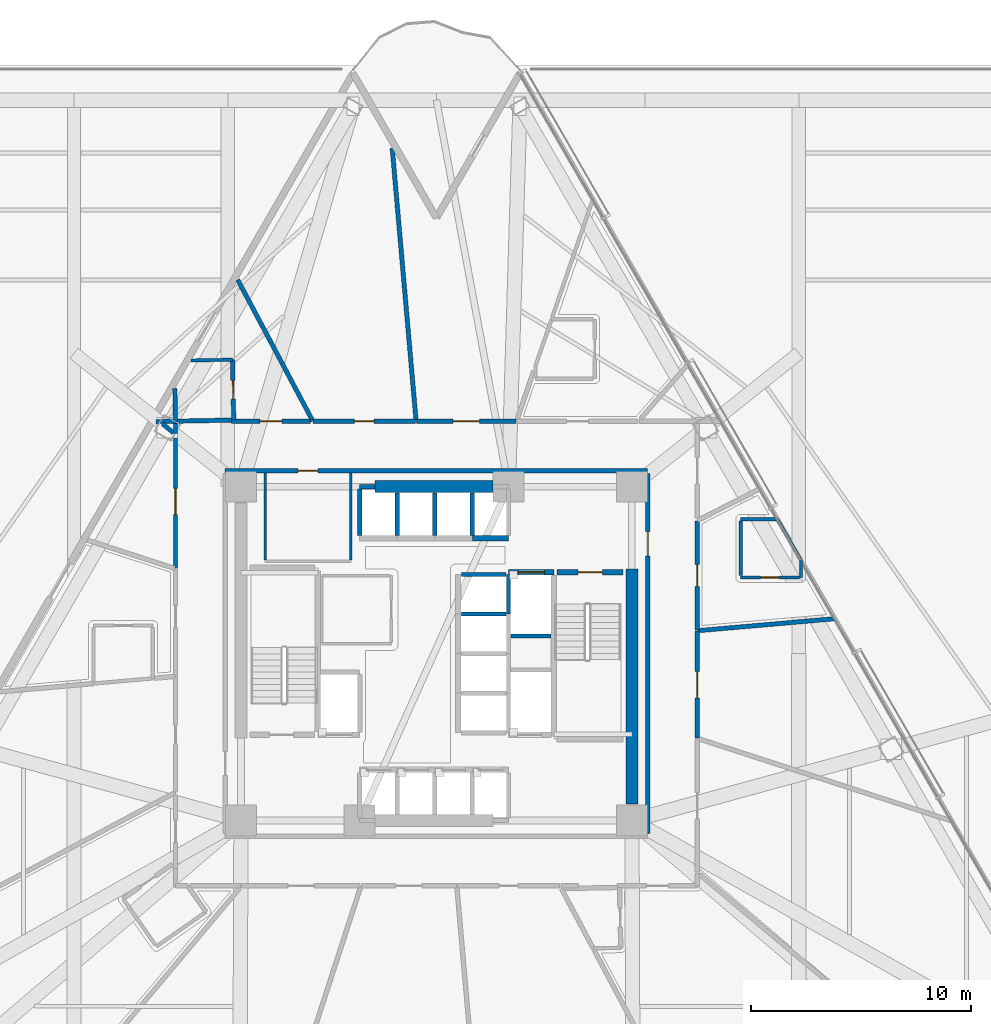
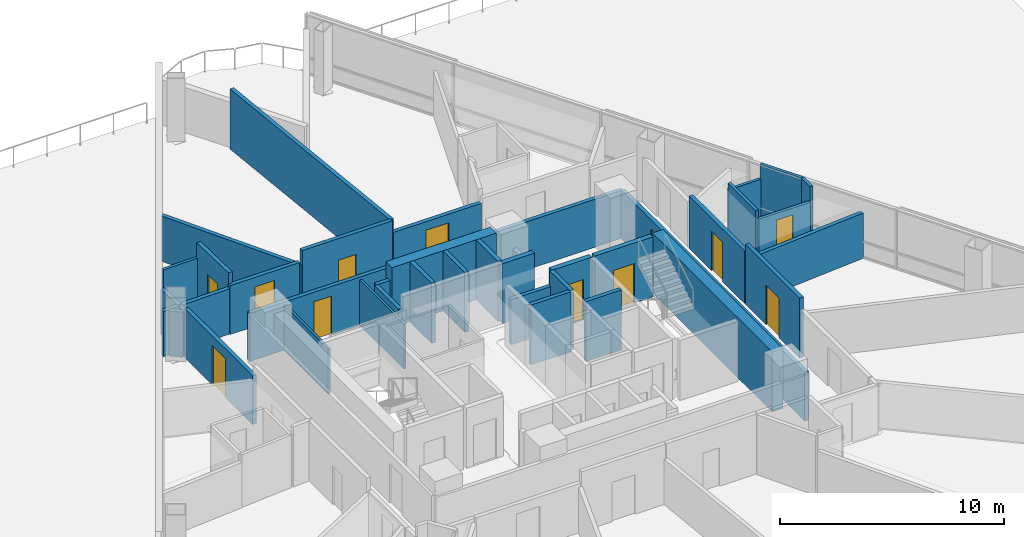
# One storey, part 11 of 19: 38 walls, 12 doors, 12 openings.
"""IFC4 building model written with IfcOpenShell, lengths in metres."""

from ifc_helpers import new_model, si_unit, direction, frame, frame_2d, origin, place, context, subcontext, project, spatial, rectangle, extrude, material, layer, layer_set, type_object, element, fill, save


model = new_model("IFC4")

# Units and contexts
model_context = context("Model", 3, precision=1e-05, world=origin(), true_north=direction((0.0, 1.0)))
body_context = subcontext(model_context, "Body", "Model", "MODEL_VIEW")
ifc_project = project(units=[si_unit("LENGTHUNIT", "METRE"), si_unit("AREAUNIT", "SQUARE_METRE"), si_unit("VOLUMEUNIT", "CUBIC_METRE"), si_unit("PLANEANGLEUNIT", "RADIAN"), si_unit("MASSUNIT", "GRAM", prefix="KILO")], contexts=[model_context])

# Site, building, storey
site_placement = place(None, origin())
site = spatial("IfcSite", under=ifc_project, at=site_placement, CompositionType="ELEMENT")
building_placement = place(site_placement, origin())
building = spatial("IfcBuilding", under=site, at=building_placement, Name="Tharavind Bronze Gate", CompositionType="ELEMENT")
storey_placement = place(building_placement, frame((0.0, 0.0, 31.800048828125)))
storey = spatial("IfcBuildingStorey", under=building, at=storey_placement, Name="L06", CompositionType="ELEMENT", Elevation=31.800048828125)

# Wall, opening, door
ifc_material_1 = material(Name="Aerated Concrete Block", Category="concrete")
ifc_layer_1 = layer(ifc_material_1, 0.199951171875)
ifc_layer_set_1 = layer_set([ifc_layer_1], Name="Aerated Concrete Block")
wall_type_1 = type_object("IfcWallType", Name="FIRE RATED PARTITION 200", PredefinedType="PARTITIONING", material=ifc_layer_set_1)
wall_1_placement = place(storey_placement, frame((9.6201171875, 8.320068359375, 0.0), z_axis=(0.0, 0.0, 1.0), x_axis=(-1.0, 0.0, 0.0)))
wall_1 = element("IfcWall", 1, at=wall_1_placement, inside=storey, type_object=wall_type_1, Name="L06 north core corridor wall", PredefinedType="PARTITIONING", context=body_context, shape_type="SweptSolid", body=[
    extrude(rectangle(XDim=19.240234375, YDim=0.199951171875, at=frame_2d((9.6201171875, 0.0))), origin(), (0.0, 0.0, 1.0), 2.619873046875),
])
opening_1_placement = place(wall_1_placement, frame((15.02001953125, 0.0, 0.0)))
opening_1 = element("IfcOpeningElement", 2, at=opening_1_placement, cuts=wall_1, Name="Opening ID07", PredefinedType="OPENING", context=body_context, shape_type="SweptSolid", body=[
    extrude(rectangle(XDim=0.89990234375, YDim=2.10009765625, at=frame_2d((0.449951171875, 1.050048828125))), frame((0.0, 0.11009765625, 0.0), z_axis=(0.0, -1.0, 0.0), x_axis=(1.0, 0.0, 0.0)), (0.0, 0.0, 1.0), 0.219951171875),
])
ifc_material_2 = material(Name="Galvanised Fire Steel", Category="steel")
door_type_1 = type_object("IfcDoorType", Name="PLANT AND RISER FIRE DOOR 900X2100", OperationType="SINGLE_SWING_LEFT", PredefinedType="DOOR", material=ifc_material_2)
door_1_placement = place(opening_1_placement, frame((0.89990234375, 0.0, 0.0), z_axis=(0.0, 0.0, 1.0), x_axis=(-1.0, 0.0, 0.0)))
door_1 = element("IfcDoor", 3, at=door_1_placement, inside=storey, type_object=door_type_1, Name="L06 Electrical Switch Room fire door", OperationType="SINGLE_SWING_LEFT", OverallHeight=2.10009765625, OverallWidth=0.89990234375, PredefinedType="DOOR", context=body_context, shape_type="SweptSolid", body=[
    extrude(rectangle(XDim=0.89990234375, YDim=2.10009765625, at=frame_2d((0.449951171875, 1.050048828125))), frame((0.0, 0.02490234375, 0.0), z_axis=(0.0, -1.0, 0.0), x_axis=(1.0, 0.0, 0.0)), (0.0, 0.0, 1.0), 0.050048828125),
])
fill(opening_1, door_1)

wall_2_placement = place(storey_placement, frame((9.6201171875, -8.199951171875, 0.0), z_axis=(0.0, 0.0, 1.0), x_axis=(0.0, 1.0, 0.0)))
wall_2 = element("IfcWall", 4, at=wall_2_placement, inside=storey, type_object=wall_type_1, Name="L06 east core corridor wall", PredefinedType="PARTITIONING", context=body_context, shape_type="SweptSolid", body=[
    extrude(rectangle(XDim=16.39990234375, YDim=0.199951171875, at=frame_2d((8.199951171875, 0.0))), origin(), (0.0, 0.0, 1.0), 2.669921875),
])
opening_2_placement = place(wall_2_placement, frame((12.64990234375, 0.0, 0.0)))
opening_2 = element("IfcOpeningElement", 5, at=opening_2_placement, cuts=wall_2, Name="Opening ID01", PredefinedType="OPENING", context=body_context, shape_type="SweptSolid", body=[
    extrude(rectangle(XDim=1.10009765625, YDim=2.14990234375, at=frame_2d((0.550048828125, 1.074951171875))), frame((0.0, 0.11009765625, 0.0), z_axis=(0.0, -1.0, 0.0), x_axis=(1.0, 0.0, 0.0)), (0.0, 0.0, 1.0), 0.219951171875),
])
ifc_material_3 = material(Name="Fire-Rated Steel", Category="steel")
door_type_2 = type_object("IfcDoorType", Name="STAIR CORE FIRE DOOR 1100X2150", OperationType="SINGLE_SWING_LEFT", PredefinedType="DOOR", material=ifc_material_3)
door_2_placement = place(opening_2_placement, frame((1.10009765625, 0.0, 0.0), z_axis=(0.0, 0.0, 1.0), x_axis=(-1.0, 0.0, 0.0)))
door_2 = element("IfcDoor", 6, at=door_2_placement, inside=storey, type_object=door_type_2, Name="L06 north east stair lobby fire door", OperationType="SINGLE_SWING_LEFT", OverallHeight=2.14990234375, OverallWidth=1.10009765625, PredefinedType="DOOR", context=body_context, shape_type="SweptSolid", body=[
    extrude(rectangle(XDim=1.10009765625, YDim=2.14990234375, at=frame_2d((0.550048828125, 1.074951171875))), frame((0.0, 0.02490234375, 0.0), z_axis=(0.0, -1.0, 0.0), x_axis=(1.0, 0.0, 0.0)), (0.0, 0.0, 1.0), 0.050048828125),
])
fill(opening_2, door_2)

# Wall
wall_3_placement = place(storey_placement, frame((-11.8798828125, 10.580078125, 0.0), z_axis=(0.0, 0.0, 1.0), x_axis=(-0.019413816196, 0.999811534111, 0.0)))
element("IfcWall", 7, at=wall_3_placement, inside=storey, type_object=wall_type_1, Name="L06 En-Suite Bathroom partition", PredefinedType="PARTITIONING", context=body_context, shape_type="SweptSolid", body=[
    extrude(rectangle(XDim=1.48388671875, YDim=0.199951171875, at=frame_2d((0.741943359375, 0.0))), origin(), (0.0, 0.0, 1.0), 2.469970703125),
])

# Wall, opening, door
wall_4_placement = place(storey_placement, frame((-9.28369140625, 13.380859375, 0.0), z_axis=(0.0, 0.0, 1.0), x_axis=(0.019353504647, -0.999812703389, 0.0)))
wall_4 = element("IfcWall", 8, at=wall_4_placement, inside=storey, type_object=wall_type_1, Name="L06 En-Suite Bathroom partition", PredefinedType="PARTITIONING", context=body_context, shape_type="SweptSolid", body=[
    extrude(rectangle(XDim=2.75, YDim=0.199951171875, at=frame_2d((1.375, 0.0))), origin(), (0.0, 0.0, 1.0), 3.27490234375),
])
opening_3_placement = place(wall_4_placement, frame((0.949951171875, 0.0, 0.0)))
opening_3 = element("IfcOpeningElement", 9, at=opening_3_placement, cuts=wall_4, Name="Opening ID06", PredefinedType="OPENING", context=body_context, shape_type="SweptSolid", body=[
    extrude(rectangle(XDim=0.85009765625, YDim=2.10009765625, at=frame_2d((0.425048828125, 1.050048828125))), frame((0.0, 0.11009765625, 0.0), z_axis=(0.0, -1.0, 0.0), x_axis=(1.0, 0.0, 0.0)), (0.0, 0.0, 1.0), 0.219951171875),
])
ifc_material_4 = material(Name="Moisture-Resistant Timber", Category="wood")
door_type_3 = type_object("IfcDoorType", Name="BATHROOM PRIVACY DOOR 850X2100", OperationType="SINGLE_SWING_RIGHT", PredefinedType="DOOR", material=ifc_material_4)
door_3_placement = place(opening_3_placement, origin())
door_3 = element("IfcDoor", 10, at=door_3_placement, inside=storey, type_object=door_type_3, Name="L06 En-Suite Bathroom door", OperationType="SINGLE_SWING_RIGHT", OverallHeight=2.10009765625, OverallWidth=0.85009765625, PredefinedType="DOOR", context=body_context, shape_type="SweptSolid", body=[
    extrude(rectangle(XDim=0.85009765625, YDim=2.10009765625, at=frame_2d((0.425048828125, 1.050048828125))), frame((0.0, 0.02490234375, 0.0), z_axis=(0.0, -1.0, 0.0), x_axis=(1.0, 0.0, 0.0)), (0.0, 0.0, 1.0), 0.050048828125),
])
fill(opening_3, door_3)

# Walls
wall_5_placement = place(storey_placement, frame((-9.33544921875, 10.62939453125, 0.0), z_axis=(0.0, 0.0, 1.0), x_axis=(-0.999810972065, -0.019442739982, 0.0)))
element("IfcWall", 11, at=wall_5_placement, inside=storey, type_object=wall_type_1, Name="L06 En-Suite Bathroom partition", PredefinedType="PARTITIONING", context=body_context, shape_type="SweptSolid", body=[
    extrude(rectangle(XDim=3.440673828125, YDim=0.199951171875, at=frame_2d((1.72021484375, 0.0))), origin(), (0.0, 0.0, 1.0), 2.469970703125),
])
wall_6_placement = place(storey_placement, frame((18.136474609375, 1.586669921875, 0.0), z_axis=(0.0, 0.0, 1.0), x_axis=(-0.99619562433, -0.087145155144, 0.0)))
element("IfcWall", 12, at=wall_6_placement, inside=storey, type_object=wall_type_1, Name="L06 Hotel Guest Room partition", PredefinedType="PARTITIONING", context=body_context, shape_type="SweptSolid", body=[
    extrude(rectangle(XDim=6.2529296875, YDim=0.199951171875, at=frame_2d((3.12646484375, 0.0))), origin(), (0.0, 0.0, 1.0), 2.469970703125),
])

# Wall, opening, door
wall_7_placement = place(storey_placement, frame((11.8798828125, 1.066650390625, 0.0), z_axis=(0.0, 0.0, 1.0), x_axis=(0.0, 1.0, 0.0)))
wall_7 = element("IfcWall", 13, at=wall_7_placement, inside=storey, type_object=wall_type_1, Name="L06 Hotel Guest Room partition", PredefinedType="PARTITIONING", context=body_context, shape_type="SweptSolid", body=[
    extrude(rectangle(XDim=4.97119140625, YDim=0.199951171875, at=frame_2d((2.485595703125, 0.0))), origin(), (0.0, 0.0, 1.0), 2.869873046875),
])
opening_4_placement = place(wall_7_placement, frame((1.986083984375, 0.0, 0.0)))
opening_4 = element("IfcOpeningElement", 14, at=opening_4_placement, cuts=wall_7, Name="Opening ID03", PredefinedType="OPENING", context=body_context, shape_type="SweptSolid", body=[
    extrude(rectangle(XDim=1.0, YDim=2.14990234375, at=frame_2d((0.5, 1.074951171875))), frame((0.0, 0.11009765625, 0.0), z_axis=(0.0, -1.0, 0.0), x_axis=(1.0, 0.0, 0.0)), (0.0, 0.0, 1.0), 0.219951171875),
])
ifc_material_5 = material(Name="Solid Timber Veneer", Category="wood")
door_type_4 = type_object("IfcDoorType", Name="HOTEL SUITE ENTRANCE DOOR 1000X2150", OperationType="SINGLE_SWING_LEFT", PredefinedType="DOOR", material=ifc_material_5)
door_4_placement = place(opening_4_placement, origin())
door_4 = element("IfcDoor", 15, at=door_4_placement, inside=storey, type_object=door_type_4, Name="L06 Hotel Guest Room door", OperationType="SINGLE_SWING_LEFT", OverallHeight=2.14990234375, OverallWidth=1.0, PredefinedType="DOOR", context=body_context, shape_type="SweptSolid", body=[
    extrude(rectangle(XDim=1.0, YDim=2.14990234375, at=frame_2d((0.5, 1.074951171875))), frame((0.0, 0.02490234375, 0.0), z_axis=(0.0, -1.0, 0.0), x_axis=(1.0, 0.0, 0.0)), (0.0, 0.0, 1.0), 0.050048828125),
])
fill(opening_4, door_4)

wall_8_placement = place(storey_placement, frame((3.625244140625, 10.580078125, 0.0), z_axis=(0.0, 0.0, 1.0), x_axis=(-1.0, 0.0, 0.0)))
wall_8 = element("IfcWall", 16, at=wall_8_placement, inside=storey, type_object=wall_type_1, Name="L06 Hotel Guest Lounge partition", PredefinedType="PARTITIONING", context=body_context, shape_type="SweptSolid", body=[
    extrude(rectangle(XDim=4.52783203125, YDim=0.199951171875, at=frame_2d((2.263916015625, 0.0))), origin(), (0.0, 0.0, 1.0), 2.619873046875),
])
opening_5_placement = place(wall_8_placement, frame((1.6640625, 0.0, 0.0)))
opening_5 = element("IfcOpeningElement", 17, at=opening_5_placement, cuts=wall_8, Name="Opening ID05", PredefinedType="OPENING", context=body_context, shape_type="SweptSolid", body=[
    extrude(rectangle(XDim=1.199951171875, YDim=2.14990234375, at=frame_2d((0.60009765625, 1.074951171875))), frame((0.0, 0.11009765625, 0.0), z_axis=(0.0, -1.0, 0.0), x_axis=(1.0, 0.0, 0.0)), (0.0, 0.0, 1.0), 0.219951171875),
])
ifc_material_6 = material(Name="Acoustic Laminated Glass", Category="glass")
door_type_5 = type_object("IfcDoorType", Name="MEETING ROOM GLAZED DOOR 1200X2150", OperationType="SINGLE_SWING_LEFT", PredefinedType="DOOR", material=ifc_material_6)
door_5_placement = place(opening_5_placement, origin())
door_5 = element("IfcDoor", 18, at=door_5_placement, inside=storey, type_object=door_type_5, Name="L06 Hotel Guest Lounge door", OperationType="SINGLE_SWING_LEFT", OverallHeight=2.14990234375, OverallWidth=1.199951171875, PredefinedType="DOOR", context=body_context, shape_type="SweptSolid", body=[
    extrude(rectangle(XDim=1.199951171875, YDim=2.14990234375, at=frame_2d((0.60009765625, 1.074951171875))), frame((0.0, 0.02490234375, 0.0), z_axis=(0.0, -1.0, 0.0), x_axis=(1.0, 0.0, 0.0)), (0.0, 0.0, 1.0), 0.050048828125),
])
fill(opening_5, door_5)

# Wall
wall_9_placement = place(storey_placement, frame((-0.927490234375, 10.602783203125, 0.0), z_axis=(0.0, 0.0, 1.0), x_axis=(-0.08716403318, 0.996193972738, 0.0)))
element("IfcWall", 19, at=wall_9_placement, inside=storey, type_object=wall_type_1, Name="L06 Hotel Guest Lounge partition", PredefinedType="PARTITIONING", context=body_context, shape_type="SweptSolid", body=[
    extrude(rectangle(XDim=12.45849609375, YDim=0.199951171875, at=frame_2d((6.229248046875, 0.0))), origin(), (0.0, 0.0, 1.0), 3.27490234375),
])

# Wall, opening, door
wall_10_placement = place(storey_placement, frame((-0.952880859375, 10.580078125, 0.0), z_axis=(0.0, 0.0, 1.0), x_axis=(-1.0, 0.0, 0.0)))
wall_10 = element("IfcWall", 20, at=wall_10_placement, inside=storey, type_object=wall_type_1, Name="L06 Housekeeping & Linen Room partition", PredefinedType="PARTITIONING", context=body_context, shape_type="SweptSolid", body=[
    extrude(rectangle(XDim=4.65771484375, YDim=0.199951171875, at=frame_2d((2.328857421875, 0.0))), origin(), (0.0, 0.0, 1.0), 3.27490234375),
])
opening_6_placement = place(wall_10_placement, frame((1.87890625, 0.0, 0.0)))
opening_6 = element("IfcOpeningElement", 21, at=opening_6_placement, cuts=wall_10, Name="Opening ID07", PredefinedType="OPENING", context=body_context, shape_type="SweptSolid", body=[
    extrude(rectangle(XDim=0.89990234375, YDim=2.10009765625, at=frame_2d((0.449951171875, 1.050048828125))), frame((0.0, 0.11009765625, 0.0), z_axis=(0.0, -1.0, 0.0), x_axis=(1.0, 0.0, 0.0)), (0.0, 0.0, 1.0), 0.219951171875),
])
door_6_placement = place(opening_6_placement, origin())
door_6 = element("IfcDoor", 22, at=door_6_placement, inside=storey, type_object=door_type_1, Name="L06 Housekeeping & Linen Room door", OperationType="SINGLE_SWING_LEFT", OverallHeight=2.10009765625, OverallWidth=0.89990234375, PredefinedType="DOOR", context=body_context, shape_type="SweptSolid", body=[
    extrude(rectangle(XDim=0.89990234375, YDim=2.10009765625, at=frame_2d((0.449951171875, 1.050048828125))), frame((0.0, 0.02490234375, 0.0), z_axis=(0.0, -1.0, 0.0), x_axis=(1.0, 0.0, 0.0)), (0.0, 0.0, 1.0), 0.050048828125),
])
fill(opening_6, door_6)

# Walls
wall_11_placement = place(storey_placement, frame((-5.632568359375, 10.59326171875, 0.0), z_axis=(0.0, 0.0, 1.0), x_axis=(-0.469461047245, 0.882953183991, 0.0)))
element("IfcWall", 23, at=wall_11_placement, inside=storey, type_object=wall_type_1, Name="L06 Housekeeping & Linen Room partition", PredefinedType="PARTITIONING", context=body_context, shape_type="SweptSolid", body=[
    extrude(rectangle(XDim=7.27587890625, YDim=0.199951171875, at=frame_2d((3.637939453125, 0.0))), origin(), (0.0, 0.0, 1.0), 2.469970703125),
])
wall_12_placement = place(storey_placement, frame((-11.8798828125, 10.474853515625, 0.0), z_axis=(0.0, 0.0, 1.0), x_axis=(0.0, -1.0, 0.0)))
element("IfcWall", 24, at=wall_12_placement, inside=storey, type_object=wall_type_1, Name="L06 Hotel Guest Room partition", PredefinedType="PARTITIONING", context=body_context, shape_type="SweptSolid", body=[
    extrude(rectangle(XDim=0.45263671875, YDim=0.199951171875, at=frame_2d((0.226318359375, 0.0))), origin(), (0.0, 0.0, 1.0), 2.469970703125),
])
wall_13_placement = place(storey_placement, frame((-11.985107421875, 10.056640625, 0.0), z_axis=(0.0, 0.0, 1.0), x_axis=(-0.76613026962, 0.642685311776, 0.0)))
element("IfcWall", 25, at=wall_13_placement, inside=storey, type_object=wall_type_1, Name="L06 Hotel Guest Room partition", PredefinedType="PARTITIONING", context=body_context, shape_type="SweptSolid", body=[
    extrude(rectangle(XDim=0.6328125, YDim=0.199951171875, at=frame_2d((0.31640625, 0.0))), origin(), (0.0, 0.0, 1.0), 2.469970703125),
])

# Wall, opening, door
wall_14_placement = place(storey_placement, frame((-5.744384765625, 10.580078125, 0.0), z_axis=(0.0, 0.0, 1.0), x_axis=(-1.0, 0.0, 0.0)))
wall_14 = element("IfcWall", 26, at=wall_14_placement, inside=storey, type_object=wall_type_1, Name="L06 Hotel Guest Room partition", PredefinedType="PARTITIONING", context=body_context, shape_type="SweptSolid", body=[
    extrude(rectangle(XDim=3.590087890625, YDim=0.199951171875, at=frame_2d((1.794921875, 0.0))), origin(), (0.0, 0.0, 1.0), 2.669921875),
])
opening_7_placement = place(wall_14_placement, frame((1.294921875, 0.0, 0.0)))
opening_7 = element("IfcOpeningElement", 27, at=opening_7_placement, cuts=wall_14, Name="Opening ID03", PredefinedType="OPENING", context=body_context, shape_type="SweptSolid", body=[
    extrude(rectangle(XDim=1.0, YDim=2.14990234375, at=frame_2d((0.5, 1.074951171875))), frame((0.0, 0.11009765625, 0.0), z_axis=(0.0, -1.0, 0.0), x_axis=(1.0, 0.0, 0.0)), (0.0, 0.0, 1.0), 0.219951171875),
])
door_7_placement = place(opening_7_placement, origin())
door_7 = element("IfcDoor", 28, at=door_7_placement, inside=storey, type_object=door_type_4, Name="L06 Hotel Guest Room door", OperationType="SINGLE_SWING_LEFT", OverallHeight=2.14990234375, OverallWidth=1.0, PredefinedType="DOOR", context=body_context, shape_type="SweptSolid", body=[
    extrude(rectangle(XDim=1.0, YDim=2.14990234375, at=frame_2d((0.5, 1.074951171875))), frame((0.0, 0.02490234375, 0.0), z_axis=(0.0, -1.0, 0.0), x_axis=(1.0, 0.0, 0.0)), (0.0, 0.0, 1.0), 0.050048828125),
])
fill(opening_7, door_7)

wall_15_placement = place(storey_placement, frame((-11.8798828125, 9.956787109375, 0.0), z_axis=(0.0, 0.0, 1.0), x_axis=(0.0, -1.0, 0.0)))
wall_15 = element("IfcWall", 29, at=wall_15_placement, inside=storey, type_object=wall_type_1, Name="L06 Hotel Guest Lounge partition", PredefinedType="PARTITIONING", context=body_context, shape_type="SweptSolid", body=[
    extrude(rectangle(XDim=6.062255859375, YDim=0.199951171875, at=frame_2d((3.03125, 0.0))), origin(), (0.0, 0.0, 1.0), 2.669921875),
])
opening_8_placement = place(wall_15_placement, frame((2.430908203125, 0.0, 0.0)))
opening_8 = element("IfcOpeningElement", 30, at=opening_8_placement, cuts=wall_15, Name="Opening ID05", PredefinedType="OPENING", context=body_context, shape_type="SweptSolid", body=[
    extrude(rectangle(XDim=1.199951171875, YDim=2.14990234375, at=frame_2d((0.60009765625, 1.074951171875))), frame((0.0, 0.11009765625, 0.0), z_axis=(0.0, -1.0, 0.0), x_axis=(1.0, 0.0, 0.0)), (0.0, 0.0, 1.0), 0.219951171875),
])
door_8_placement = place(opening_8_placement, origin())
door_8 = element("IfcDoor", 31, at=door_8_placement, inside=storey, type_object=door_type_5, Name="L06 Hotel Guest Lounge door", OperationType="SINGLE_SWING_LEFT", OverallHeight=2.14990234375, OverallWidth=1.199951171875, PredefinedType="DOOR", context=body_context, shape_type="SweptSolid", body=[
    extrude(rectangle(XDim=1.199951171875, YDim=2.14990234375, at=frame_2d((0.60009765625, 1.074951171875))), frame((0.0, 0.02490234375, 0.0), z_axis=(0.0, -1.0, 0.0), x_axis=(1.0, 0.0, 0.0)), (0.0, 0.0, 1.0), 0.050048828125),
])
fill(opening_8, door_8)

wall_16_placement = place(storey_placement, frame((11.8798828125, -3.841796875, 0.0), z_axis=(0.0, 0.0, 1.0), x_axis=(0.0, 1.0, 0.0)))
wall_16 = element("IfcWall", 32, at=wall_16_placement, inside=storey, type_object=wall_type_1, Name="L06 Hotel Guest Lounge partition", PredefinedType="PARTITIONING", context=body_context, shape_type="SweptSolid", body=[
    extrude(rectangle(XDim=4.8583984375, YDim=0.199951171875, at=frame_2d((2.42919921875, 0.0))), origin(), (0.0, 0.0, 1.0), 3.27490234375),
])
opening_9_placement = place(wall_16_placement, frame((1.8291015625, 0.0, 0.0)))
opening_9 = element("IfcOpeningElement", 33, at=opening_9_placement, cuts=wall_16, Name="Opening ID05", PredefinedType="OPENING", context=body_context, shape_type="SweptSolid", body=[
    extrude(rectangle(XDim=1.199951171875, YDim=2.14990234375, at=frame_2d((0.60009765625, 1.074951171875))), frame((0.0, 0.11009765625, 0.0), z_axis=(0.0, -1.0, 0.0), x_axis=(1.0, 0.0, 0.0)), (0.0, 0.0, 1.0), 0.219951171875),
])
door_9_placement = place(opening_9_placement, origin())
door_9 = element("IfcDoor", 34, at=door_9_placement, inside=storey, type_object=door_type_5, Name="L06 Hotel Guest Lounge door", OperationType="SINGLE_SWING_LEFT", OverallHeight=2.14990234375, OverallWidth=1.199951171875, PredefinedType="DOOR", context=body_context, shape_type="SweptSolid", body=[
    extrude(rectangle(XDim=1.199951171875, YDim=2.14990234375, at=frame_2d((0.60009765625, 1.074951171875))), frame((0.0, 0.02490234375, 0.0), z_axis=(0.0, -1.0, 0.0), x_axis=(1.0, 0.0, 0.0)), (0.0, 0.0, 1.0), 0.050048828125),
])
fill(opening_9, door_9)

# Walls
ifc_material_7 = material(Name="Metal Stud Gypsum Partition", Category="gypsum")
ifc_layer_2 = layer(ifc_material_7, 0.1201171875)
ifc_layer_set_2 = layer_set([ifc_layer_2], Name="Metal Stud Gypsum Partition")
wall_type_2 = type_object("IfcWallType", Name="INTERIOR PARTITION WALL 120", PredefinedType="PARTITIONING", material=ifc_layer_set_2)
for number, where, z_axis, x_axis, name in (
    (35, (-3.89990234375, 4.264892578125, 0.0), (0.0, 0.0, 1.0), (0.0, 1.0, 0.0), "L06 Electrical Switch Room partition 2"),
    (36, (-7.800048828125, 8.215087890625, 0.0), (0.0, 0.0, 1.0), (0.0, -1.0, 0.0), "L06 Electrical Switch Room partition 4"),
):
    element("IfcWall", number, at=place(storey_placement, frame(where, z_axis=z_axis, x_axis=x_axis)), inside=storey, type_object=wall_type_2, Name=name, PredefinedType="PARTITIONING", context=body_context, shape_type="SweptSolid", body=[
        extrude(rectangle(XDim=3.9501953125, YDim=0.1201171875, at=frame_2d((1.97509765625, 0.0))), origin(), (0.0, 0.0, 1.0), 2.469970703125),
    ])
ifc_material_8 = material(Name="Twin Stud Acoustic Gypsum", Category="gypsum")
ifc_layer_3 = layer(ifc_material_8, 0.14990234375)
ifc_layer_set_3 = layer_set([ifc_layer_3], Name="Twin Stud Acoustic Gypsum")
wall_type_3 = type_object("IfcWallType", Name="INTERIOR PARTITION WALL 150", PredefinedType="PARTITIONING", material=ifc_layer_set_3)
wall_17_placement = place(storey_placement, frame((13.85009765625, 6.1142578125, 0.0), z_axis=(0.0, 0.0, 1.0), x_axis=(1.0, 0.0, 0.0)))
element("IfcWall", 37, at=wall_17_placement, inside=storey, type_object=wall_type_3, Name="L06 En-Suite Bathroom partition", PredefinedType="PARTITIONING", context=body_context, shape_type="SweptSolid", body=[
    extrude(rectangle(XDim=1.67236328125, YDim=0.14990234375, at=frame_2d((0.836181640625, 0.0))), origin(), (0.0, 0.0, 1.0), 2.469970703125),
])
wall_18_placement = place(storey_placement, frame((15.5224609375, 6.1142578125, 0.0), z_axis=(0.0, 0.0, 1.0), x_axis=(0.500062410969, -0.865989367796, 0.0)))
element("IfcWall", 38, at=wall_18_placement, inside=storey, type_object=wall_type_3, Name="L06 En-Suite Bathroom partition", PredefinedType="PARTITIONING", context=body_context, shape_type="SweptSolid", body=[
    extrude(rectangle(XDim=2.155029296875, YDim=0.14990234375, at=frame_2d((1.07763671875, 0.0))), origin(), (0.0, 0.0, 1.0), 3.27490234375),
])
wall_19_placement = place(storey_placement, frame((16.60009765625, 4.248046875, 0.0), z_axis=(0.0, 0.0, 1.0), x_axis=(0.0, -1.0, 0.0)))
element("IfcWall", 39, at=wall_19_placement, inside=storey, type_object=wall_type_3, Name="L06 En-Suite Bathroom partition", PredefinedType="PARTITIONING", context=body_context, shape_type="SweptSolid", body=[
    extrude(rectangle(XDim=0.78369140625, YDim=0.14990234375, at=frame_2d((0.391845703125, 0.0))), origin(), (0.0, 0.0, 1.0), 3.27490234375),
])

# Wall, opening, door
wall_20_placement = place(storey_placement, frame((16.52001953125, 3.46435546875, 0.0), z_axis=(0.0, 0.0, 1.0), x_axis=(-1.0, 0.0, 0.0)))
wall_20 = element("IfcWall", 40, at=wall_20_placement, inside=storey, type_object=wall_type_3, Name="L06 En-Suite Bathroom partition", PredefinedType="PARTITIONING", context=body_context, shape_type="SweptSolid", body=[
    extrude(rectangle(XDim=2.669921875, YDim=0.14990234375, at=frame_2d((1.3349609375, 0.0))), origin(), (0.0, 0.0, 1.0), 2.469970703125),
])
opening_10_placement = place(wall_20_placement, frame((0.909912109375, 0.0, 0.0)))
opening_10 = element("IfcOpeningElement", 41, at=opening_10_placement, cuts=wall_20, Name="Opening ID06", PredefinedType="OPENING", context=body_context, shape_type="SweptSolid", body=[
    extrude(rectangle(XDim=0.85009765625, YDim=2.10009765625, at=frame_2d((0.425048828125, 1.050048828125))), frame((0.0, 0.084951171875, 0.0), z_axis=(0.0, -1.0, 0.0), x_axis=(1.0, 0.0, 0.0)), (0.0, 0.0, 1.0), 0.16990234375),
])
door_10_placement = place(opening_10_placement, origin())
door_10 = element("IfcDoor", 42, at=door_10_placement, inside=storey, type_object=door_type_3, Name="L06 En-Suite Bathroom door", OperationType="SINGLE_SWING_RIGHT", OverallHeight=2.10009765625, OverallWidth=0.85009765625, PredefinedType="DOOR", context=body_context, shape_type="SweptSolid", body=[
    extrude(rectangle(XDim=0.85009765625, YDim=2.10009765625, at=frame_2d((0.425048828125, 1.050048828125))), frame((0.0, 0.02490234375, 0.0), z_axis=(0.0, -1.0, 0.0), x_axis=(1.0, 0.0, 0.0)), (0.0, 0.0, 1.0), 0.050048828125),
])
fill(opening_10, door_10)

# Walls
wall_21_placement = place(storey_placement, frame((13.85009765625, 3.544189453125, 0.0), z_axis=(0.0, 0.0, 1.0), x_axis=(0.0, 1.0, 0.0)))
element("IfcWall", 43, at=wall_21_placement, inside=storey, type_object=wall_type_3, Name="L06 En-Suite Bathroom partition", PredefinedType="PARTITIONING", context=body_context, shape_type="SweptSolid", body=[
    extrude(rectangle(XDim=2.489990234375, YDim=0.14990234375, at=frame_2d((1.2451171875, 0.0))), origin(), (0.0, 0.0, 1.0), 2.869873046875),
])
wall_22_placement = place(storey_placement, frame((-11.169189453125, 13.34423828125, 0.0), z_axis=(0.0, 0.0, 1.0), x_axis=(0.999811436513, 0.019418841833, 0.0)))
element("IfcWall", 44, at=wall_22_placement, inside=storey, type_object=wall_type_3, Name="L06 En-Suite Bathroom partition", PredefinedType="PARTITIONING", context=body_context, shape_type="SweptSolid", body=[
    extrude(rectangle(XDim=1.8857421875, YDim=0.14990234375, at=frame_2d((0.94287109375, 0.0))), origin(), (0.0, 0.0, 1.0), 2.469970703125),
])

# Wall, opening, door
ifc_material_9 = material(Name="Concrete C50/60", Category="concrete")
ifc_layer_4 = layer(ifc_material_9, 0.25)
ifc_layer_set_4 = layer_set([ifc_layer_4], Name="Concrete C50/60")
wall_type_4 = type_object("IfcWallType", Name="RC CORE SHEAR WALL 250", PredefinedType="SHEAR", material=ifc_layer_set_4)
wall_23_placement = place(storey_placement, frame((5.5, 3.699951171875, 0.0), z_axis=(0.0, 0.0, 1.0), x_axis=(1.0, 0.0, 0.0)))
wall_23 = element("IfcWall", 45, at=wall_23_placement, inside=storey, type_object=wall_type_4, Name="L06 ST2 shaft north wall", PredefinedType="SHEAR", context=body_context, shape_type="SweptSolid", body=[
    extrude(rectangle(XDim=3.0, YDim=0.25, at=frame_2d((1.5, 0.0))), origin(), (0.0, 0.0, 1.0), 3.27490234375),
])
opening_11_placement = place(wall_23_placement, frame((0.949951171875, 0.0, 0.0)))
opening_11 = element("IfcOpeningElement", 46, at=opening_11_placement, cuts=wall_23, Name="Opening ID01", PredefinedType="OPENING", context=body_context, shape_type="SweptSolid", body=[
    extrude(rectangle(XDim=1.10009765625, YDim=2.14990234375, at=frame_2d((0.550048828125, 1.074951171875))), frame((0.0, 0.135, 0.0), z_axis=(0.0, -1.0, 0.0), x_axis=(1.0, 0.0, 0.0)), (0.0, 0.0, 1.0), 0.27),
])
door_11_placement = place(opening_11_placement, frame((1.10009765625, 0.0, 0.0), z_axis=(0.0, 0.0, 1.0), x_axis=(-1.0, 0.0, 0.0)))
door_11 = element("IfcDoor", 47, at=door_11_placement, inside=storey, type_object=door_type_2, Name="L06 exit stair ST2 fire door", OperationType="SINGLE_SWING_LEFT", OverallHeight=2.14990234375, OverallWidth=1.10009765625, PredefinedType="DOOR", context=body_context, shape_type="SweptSolid", body=[
    extrude(rectangle(XDim=1.10009765625, YDim=2.14990234375, at=frame_2d((0.550048828125, 1.074951171875))), frame((0.0, 0.02490234375, 0.0), z_axis=(0.0, -1.0, 0.0), x_axis=(1.0, 0.0, 0.0)), (0.0, 0.0, 1.0), 0.050048828125),
])
fill(opening_11, door_11)

# Wall
wall_24_placement = place(storey_placement, frame((1.637451171875, 5.25, 0.0), z_axis=(0.0, 0.0, 1.0), x_axis=(1.0, 0.0, 0.0)))
element("IfcWall", 48, at=wall_24_placement, inside=storey, type_object=wall_type_4, Name="L06 lift PL8 shaft front wall", PredefinedType="SHEAR", context=body_context, shape_type="SweptSolid", body=[
    extrude(rectangle(XDim=1.642578125, YDim=0.25, at=frame_2d((0.8212890625, 0.0))), origin(), (0.0, 0.0, 1.0), 3.27490234375),
])

# Wall, opening, door
wall_25_placement = place(storey_placement, frame((3.280029296875, 3.699951171875, 0.0), z_axis=(0.0, 0.0, 1.0), x_axis=(1.0, 0.0, 0.0)))
wall_25 = element("IfcWall", 49, at=wall_25_placement, inside=storey, type_object=wall_type_4, Name="L06 lift FFL2 shaft front wall", PredefinedType="SHEAR", context=body_context, shape_type="SweptSolid", body=[
    extrude(rectangle(XDim=2.070068359375, YDim=0.25, at=frame_2d((1.03515625, 0.0))), origin(), (0.0, 0.0, 1.0), 3.27490234375),
])
opening_12_placement = place(wall_25_placement, frame((0.43505859375, 0.0, 0.0)))
opening_12 = element("IfcOpeningElement", 50, at=opening_12_placement, cuts=wall_25, Name="Opening LD02", PredefinedType="OPENING", context=body_context, shape_type="SweptSolid", body=[
    extrude(rectangle(XDim=1.199951171875, YDim=2.199951171875, at=frame_2d((0.60009765625, 1.10009765625))), frame((0.0, 0.135, 0.0), z_axis=(0.0, -1.0, 0.0), x_axis=(1.0, 0.0, 0.0)), (0.0, 0.0, 1.0), 0.27),
])
ifc_material_10 = material(Name="Brushed Stainless Steel", Category="steel")
door_type_6 = type_object("IfcDoorType", Name="FIREFIGHTING LIFT LANDING DOOR 1200X2200", OperationType="SLIDING_TO_RIGHT", PredefinedType="DOOR", material=ifc_material_10)
door_12_placement = place(opening_12_placement, origin())
door_12 = element("IfcDoor", 51, at=door_12_placement, inside=storey, type_object=door_type_6, Name="L06 lift FFL2 sliding landing door", OperationType="SLIDING_TO_RIGHT", OverallHeight=2.199951171875, OverallWidth=1.199951171875, PredefinedType="DOOR", context=body_context, shape_type="SweptSolid", body=[
    extrude(rectangle(XDim=1.199951171875, YDim=2.199951171875, at=frame_2d((0.60009765625, 1.10009765625))), frame((0.0, 0.02490234375, 0.0), z_axis=(0.0, -1.0, 0.0), x_axis=(1.0, 0.0, 0.0)), (0.0, 0.0, 1.0), 0.050048828125),
])
fill(opening_12, door_12)

# Walls
ifc_material_11 = material(Name="Concrete C60/75", Category="concrete")
ifc_layer_5 = layer(ifc_material_11, 0.550048828125)
ifc_layer_set_5 = layer_set([ifc_layer_5], Name="Concrete C60/75")
wall_type_5 = type_object("IfcWallType", Name="RC CORE SHEAR WALL 550", PredefinedType="SHEAR", material=ifc_layer_set_5)
wall_26_placement = place(storey_placement, frame((-2.800048828125, 7.60009765625, 0.0), z_axis=(0.0, 0.0, 1.0), x_axis=(1.0, 0.0, 0.0)))
element("IfcWall", 52, at=wall_26_placement, inside=storey, type_object=wall_type_5, Name="L06 north core shear wall", PredefinedType="SHEAR", context=body_context, shape_type="SweptSolid", body=[
    extrude(rectangle(XDim=5.380126953125, YDim=0.550048828125, at=frame_2d((2.68994140625, 0.0))), origin(), (0.0, 0.0, 1.0), 3.27490234375),
])
wall_27_placement = place(storey_placement, frame((8.89990234375, -6.85009765625, 0.0), z_axis=(0.0, 0.0, 1.0), x_axis=(0.0, 1.0, 0.0)))
element("IfcWall", 53, at=wall_27_placement, inside=storey, type_object=wall_type_5, Name="L06 east core shear wall", PredefinedType="SHEAR", context=body_context, shape_type="SweptSolid", body=[
    extrude(rectangle(XDim=10.7001953125, YDim=0.550048828125, at=frame_2d((5.35009765625, 0.0))), origin(), (0.0, 0.0, 1.0), 3.27490234375),
])
ifc_material_12 = material(Name="Concrete C40/50", Category="concrete")
ifc_layer_6 = layer(ifc_material_12, 0.199951171875)
ifc_layer_set_6 = layer_set([ifc_layer_6], Name="Concrete C40/50")
wall_type_6 = type_object("IfcWallType", Name="SHAFT ENCLOSURE WALL 200", PredefinedType="PARTITIONING", material=ifc_layer_set_6)
wall_28_placement = place(storey_placement, frame((-3.5, 7.60009765625, 0.0), z_axis=(0.0, 0.0, 1.0), x_axis=(1.0, 0.0, 0.0)))
element("IfcWall", 54, at=wall_28_placement, inside=storey, type_object=wall_type_6, Name="L06 lift PL5 shaft N enclosure wall", PredefinedType="PARTITIONING", context=body_context, shape_type="SweptSolid", body=[
    extrude(rectangle(XDim=0.699951171875, YDim=0.199951171875, at=frame_2d((0.35009765625, 0.0))), origin(), (0.0, 0.0, 1.0), 2.469970703125),
])
wall_29_placement = place(storey_placement, frame((-3.5, 5.3798828125, 0.0), z_axis=(0.0, 0.0, 1.0), x_axis=(0.0, 1.0, 0.0)))
element("IfcWall", 55, at=wall_29_placement, inside=storey, type_object=wall_type_6, Name="L06 lift PL5 shaft W enclosure wall", PredefinedType="PARTITIONING", context=body_context, shape_type="SweptSolid", body=[
    extrude(rectangle(XDim=2.115234375, YDim=0.199951171875, at=frame_2d((1.0576171875, 0.0))), origin(), (0.0, 0.0, 1.0), 2.469970703125),
])
for number, where, z_axis, x_axis, name in (
    (56, (-1.78759765625, 5.3798828125, 0.0), (0.0, 0.0, 1.0), (0.0, 1.0, 0.0), "L06 lift PL5 shaft E enclosure wall"),
    (57, (-0.074951171875, 5.3798828125, 0.0), (0.0, 0.0, 1.0), (0.0, 1.0, 0.0), "L06 lift PL6 shaft E enclosure wall"),
    (58, (1.637451171875, 5.3798828125, 0.0), (0.0, 0.0, 1.0), (0.0, 1.0, 0.0), "L06 lift PL7 shaft E enclosure wall"),
):
    element("IfcWall", number, at=place(storey_placement, frame(where, z_axis=z_axis, x_axis=x_axis)), inside=storey, type_object=wall_type_6, Name=name, PredefinedType="PARTITIONING", context=body_context, shape_type="SweptSolid", body=[
        extrude(rectangle(XDim=1.940185546875, YDim=0.199951171875, at=frame_2d((0.97021484375, 0.0))), origin(), (0.0, 0.0, 1.0), 3.27490234375),
    ])
wall_30_placement = place(storey_placement, frame((1.1298828125, 1.800048828125, 0.0), z_axis=(0.0, 0.0, 1.0), x_axis=(1.0, 0.0, 0.0)))
element("IfcWall", 59, at=wall_30_placement, inside=storey, type_object=wall_type_6, Name="L06 lift PL11 shaft N enclosure wall", PredefinedType="PARTITIONING", context=body_context, shape_type="SweptSolid", body=[
    extrude(rectangle(XDim=2.045166015625, YDim=0.199951171875, at=frame_2d((1.0224609375, 0.0))), origin(), (0.0, 0.0, 1.0), 3.27490234375),
])
wall_31_placement = place(storey_placement, frame((3.280029296875, 1.800048828125, 0.0), z_axis=(0.0, 0.0, 1.0), x_axis=(0.0, 1.0, 0.0)))
element("IfcWall", 60, at=wall_31_placement, inside=storey, type_object=wall_type_6, Name="L06 lift PL12 shaft E enclosure wall", PredefinedType="PARTITIONING", context=body_context, shape_type="SweptSolid", body=[
    extrude(rectangle(XDim=1.800048828125, YDim=0.199951171875, at=frame_2d((0.89990234375, 0.0))), origin(), (0.0, 0.0, 1.0), 3.27490234375),
])
wall_32_placement = place(storey_placement, frame((1.1298828125, 3.60009765625, 0.0), z_axis=(0.0, 0.0, 1.0), x_axis=(1.0, 0.0, 0.0)))
element("IfcWall", 61, at=wall_32_placement, inside=storey, type_object=wall_type_6, Name="L06 lift PL12 shaft N enclosure wall", PredefinedType="PARTITIONING", context=body_context, shape_type="SweptSolid", body=[
    extrude(rectangle(XDim=2.045166015625, YDim=0.199951171875, at=frame_2d((1.0224609375, 0.0))), origin(), (0.0, 0.0, 1.0), 2.469970703125),
])
wall_33_placement = place(storey_placement, frame((3.385009765625, 0.800048828125, 0.0), z_axis=(0.0, 0.0, 1.0), x_axis=(1.0, 0.0, 0.0)))
element("IfcWall", 62, at=wall_33_placement, inside=storey, type_object=wall_type_6, Name="L06 lift FFL2 shaft S enclosure wall", PredefinedType="PARTITIONING", context=body_context, shape_type="SweptSolid", body=[
    extrude(rectangle(XDim=1.8349609375, YDim=0.199951171875, at=frame_2d((0.91748046875, 0.0))), origin(), (0.0, 0.0, 1.0), 3.27490234375),
])

save(model, "model.ifc")
